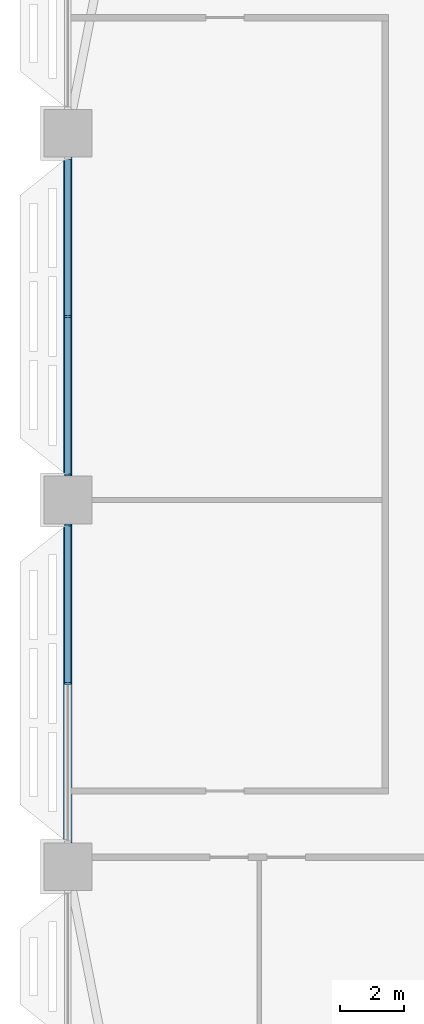
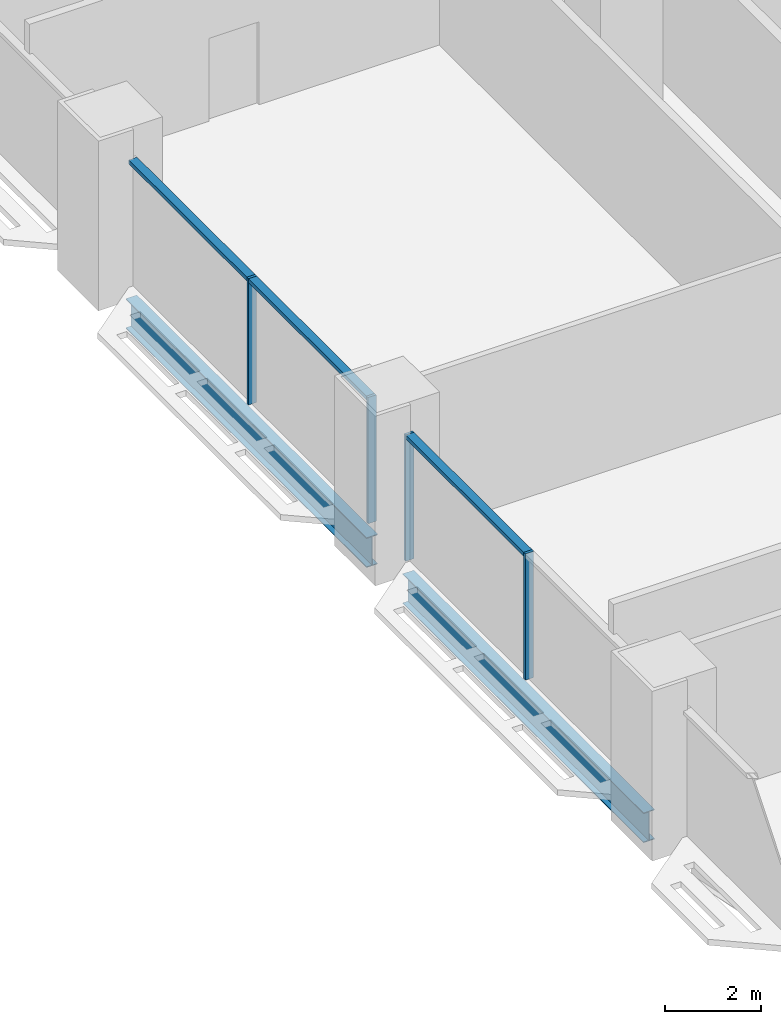
# One storey, part 4 of 29: 7 members, 2 beams, 2 elements without a shape of their own.
"""IFC4 building model written with IfcOpenShell, lengths in metres."""

from ifc_helpers import new_model, si_unit, direction, frame, origin, origin_2d, place, context, subcontext, project, spatial, rectangle, i_section, extrude, material, material_profile, profile_set, type_object, element, aggregate, save


model = new_model("IFC4")

# Units and contexts
model_context = context("Model", 3, precision=1e-05, world=origin(), true_north=direction((0.0, 1.0)))
body_context = subcontext(model_context, "Body", "Model", "MODEL_VIEW")
ifc_project = project(units=[si_unit("LENGTHUNIT", "METRE"), si_unit("AREAUNIT", "SQUARE_METRE"), si_unit("VOLUMEUNIT", "CUBIC_METRE"), si_unit("PLANEANGLEUNIT", "RADIAN"), si_unit("MASSUNIT", "GRAM", prefix="KILO")], contexts=[model_context])

# Site, building, storey
site_placement = place(None, origin())
site = spatial("IfcSite", under=ifc_project, at=site_placement, CompositionType="ELEMENT")
building_placement = place(site_placement, origin())
building = spatial("IfcBuilding", under=site, at=building_placement, Name="Mahtab Terrace Research Tower", CompositionType="ELEMENT")
storey_placement = place(building_placement, frame((0.0, 0.0, 67.5)))
storey = spatial("IfcBuildingStorey", under=building, at=storey_placement, Name="L15", CompositionType="ELEMENT", Elevation=67.5)

# Curtain wall, members
ifc_material_1 = material(Name="Laboratory ribbon curtain wall")
curtain_wall_type = type_object("IfcCurtainWallType", Name="Laboratory ribbon curtain wall", PredefinedType="NOTDEFINED", material=ifc_material_1)
curtain_wall_1_placement = place(storey_placement, origin())
curtain_wall_1 = element("IfcCurtainWall", 1, at=curtain_wall_1_placement, inside=storey, type_object=curtain_wall_type, Name="EN.L15.8.16", PredefinedType="NOTDEFINED")
ifc_material_2 = material(Name="Natural anodised aluminium", Category="aluminium")
ifc_material_profile_1 = material_profile(ifc_material_2, rectangle(XDim=0.199951171875, YDim=0.06494140625, at=origin_2d()), Name="MULLION 65x200")
ifc_profile_set_1 = profile_set([ifc_material_profile_1], Name="Natural anodised aluminium")
member_type_1 = type_object("IfcMemberType", Name="Laboratory ribbon curtain wall mullion", PredefinedType="MULLION", material=ifc_profile_set_1)
member_1_placement = place(storey_placement, frame((-42.0, 5.75, 0.0), z_axis=(0.0, 0.0, 1.0), x_axis=(1.0, 0.0, 0.0)))
member_1 = element("IfcMember", 2, at=member_1_placement, type_object=member_type_1, Name="CWL-2 mullion 2", PredefinedType="MULLION", context=body_context, shape_type="SweptSolid", body=[
    extrude(rectangle(XDim=0.199951171875, YDim=0.06494140625, at=origin_2d()), origin(), (0.0, 0.0, 1.0), 3.203125),
])
member_2_placement = place(storey_placement, frame((-42.0, 0.782470703125, 0.0), z_axis=(0.0, 0.0, 1.0), x_axis=(1.0, 0.0, 0.0)))
member_2 = element("IfcMember", 3, at=member_2_placement, type_object=member_type_1, Name="CWL-2 mullion 3", PredefinedType="MULLION", context=body_context, shape_type="SweptSolid", body=[
    extrude(rectangle(XDim=0.199951171875, YDim=0.06494140625, at=origin_2d()), origin(), (0.0, 0.0, 1.0), 3.203125),
])

curtain_wall_2_placement = place(storey_placement, origin())
curtain_wall_2 = element("IfcCurtainWall", 4, at=curtain_wall_2_placement, inside=storey, type_object=curtain_wall_type, Name="EN.L15.8.17", PredefinedType="NOTDEFINED")
member_3_placement = place(storey_placement, frame((-42.0, -0.782470703125, 0.0), z_axis=(0.0, 0.0, 1.0), x_axis=(1.0, 0.0, 0.0)))
member_3 = element("IfcMember", 5, at=member_3_placement, type_object=member_type_1, Name="CWL-2 mullion 1", PredefinedType="MULLION", context=body_context, shape_type="SweptSolid", body=[
    extrude(rectangle(XDim=0.199951171875, YDim=0.06494140625, at=origin_2d()), origin(), (0.0, 0.0, 1.0), 3.203125),
])
member_4_placement = place(storey_placement, frame((-42.0, -5.75, 0.0), z_axis=(0.0, 0.0, 1.0), x_axis=(1.0, 0.0, 0.0)))
member_4 = element("IfcMember", 6, at=member_4_placement, type_object=member_type_1, Name="CWL-2 mullion 2", PredefinedType="MULLION", context=body_context, shape_type="SweptSolid", body=[
    extrude(rectangle(XDim=0.199951171875, YDim=0.06494140625, at=origin_2d()), origin(), (0.0, 0.0, 1.0), 3.203125),
])

# Member
ifc_material_profile_2 = material_profile(ifc_material_2, rectangle(XDim=0.199951171875, YDim=0.10009765625, at=origin_2d()), Name="TRANSOM 100x200")
ifc_profile_set_2 = profile_set([ifc_material_profile_2], Name="Natural anodised aluminium")
member_type_2 = type_object("IfcMemberType", Name="Laboratory ribbon curtain wall transom", PredefinedType="USERDEFINED", material=ifc_profile_set_2)
member_5_placement = place(storey_placement, frame((-42.0, 10.68505859375, 3.153076171875), z_axis=(0.0, -1.0, 0.0), x_axis=(1.0, 0.0, 0.0)))
member_5 = element("IfcMember", 7, at=member_5_placement, type_object=member_type_2, Name="CWL-2 transom 1", ObjectType="TRANSOM", PredefinedType="USERDEFINED", context=body_context, shape_type="SweptSolid", body=[
    extrude(rectangle(XDim=0.199951171875, YDim=0.10009765625, at=origin_2d()), origin(), (0.0, 0.0, 1.0), 4.902587890625),
])

member_6_placement = place(storey_placement, frame((-42.0, 5.717529296875, 3.153076171875), z_axis=(0.0, -1.0, 0.0), x_axis=(1.0, 0.0, 0.0)))
member_6 = element("IfcMember", 8, at=member_6_placement, type_object=member_type_2, Name="CWL-2 transom 2", ObjectType="TRANSOM", PredefinedType="USERDEFINED", context=body_context, shape_type="SweptSolid", body=[
    extrude(rectangle(XDim=0.199951171875, YDim=0.10009765625, at=origin_2d()), origin(), (0.0, 0.0, 1.0), 4.902587890625),
])

aggregate(curtain_wall_1, [member_1, member_2, member_5, member_6])

member_7_placement = place(storey_placement, frame((-42.0, -0.81494140625, 3.153076171875), z_axis=(0.0, -1.0, 0.0), x_axis=(1.0, 0.0, 0.0)))
member_7 = element("IfcMember", 9, at=member_7_placement, type_object=member_type_2, Name="CWL-2 transom 1", ObjectType="TRANSOM", PredefinedType="USERDEFINED", context=body_context, shape_type="SweptSolid", body=[
    extrude(rectangle(XDim=0.199951171875, YDim=0.10009765625, at=origin_2d()), origin(), (0.0, 0.0, 1.0), 4.902587890625),
])

aggregate(curtain_wall_2, [member_3, member_4, member_7])

# Beams
ifc_material_3 = material(Name="Steel ASTM A992 Gr 50", Category="steel")
ifc_material_profile_3 = material_profile(ifc_material_3, i_section(OverallWidth=0.2666015625, OverallDepth=0.7568359375, WebThickness=0.013916015625, FlangeThickness=0.019287109375, at=origin_2d()), Name="W30X108")
ifc_profile_set_3 = profile_set([ifc_material_profile_3], Name="Steel ASTM A992 Gr 50")
beam_type = type_object("IfcBeamType", Name="W30x108 beam BS30108", PredefinedType="BEAM", material=ifc_profile_set_3)
for number, where, z_axis, x_axis, name in (
    (10, (-42.0, 10.75, -0.718505859375), (0.0, -1.0, 0.0), (1.0, 0.0, 0.0), "Spandrel beam L15 10"),
    (11, (-42.0, -0.75, -0.718505859375), (0.0, -1.0, 0.0), (1.0, 0.0, 0.0), "Spandrel beam L15 11"),
):
    element("IfcBeam", number, at=place(storey_placement, frame(where, z_axis=z_axis, x_axis=x_axis)), inside=storey, type_object=beam_type, Name=name, PredefinedType="BEAM", context=body_context, shape_type="SweptSolid", body=[
        extrude(i_section(OverallWidth=0.2666015625, OverallDepth=0.7568359375, WebThickness=0.013916015625, FlangeThickness=0.019287109375, at=origin_2d()), origin(), (0.0, 0.0, 1.0), 10.0),
    ])

save(model, "model.ifc")
